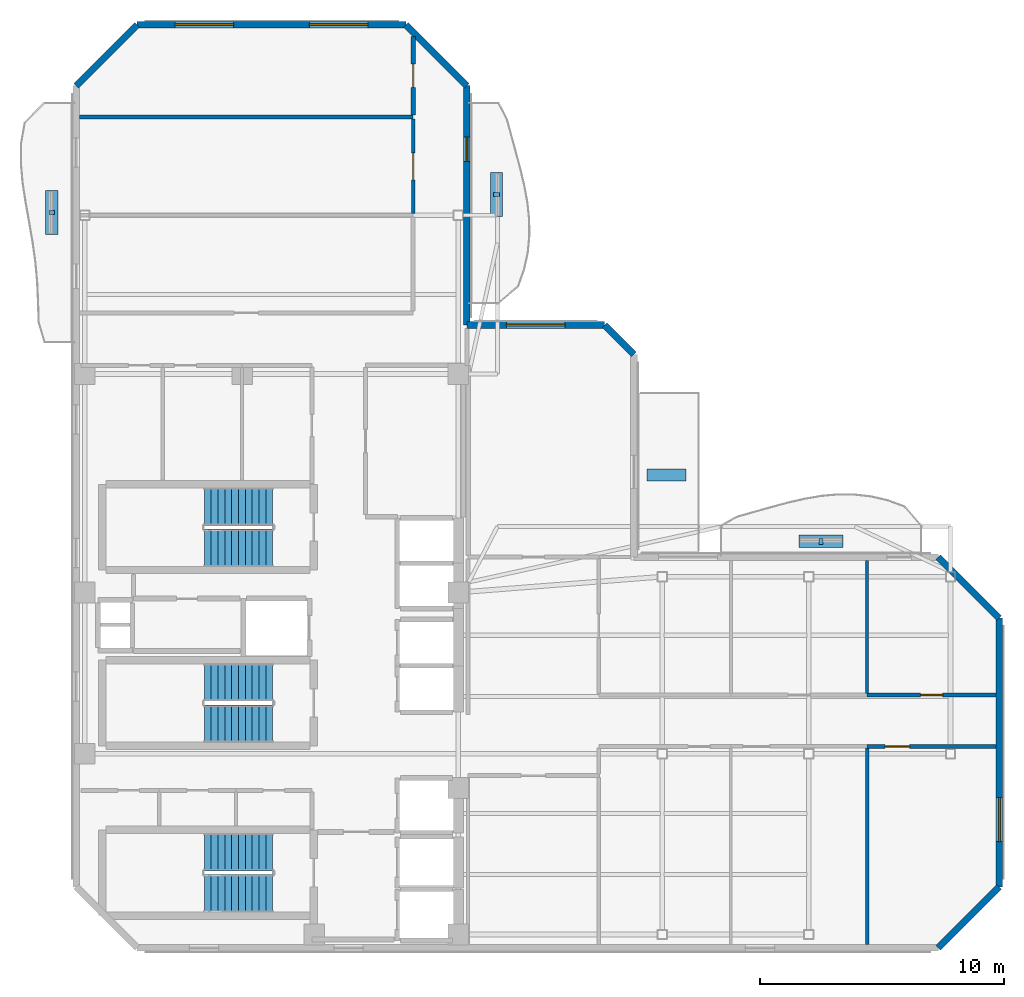
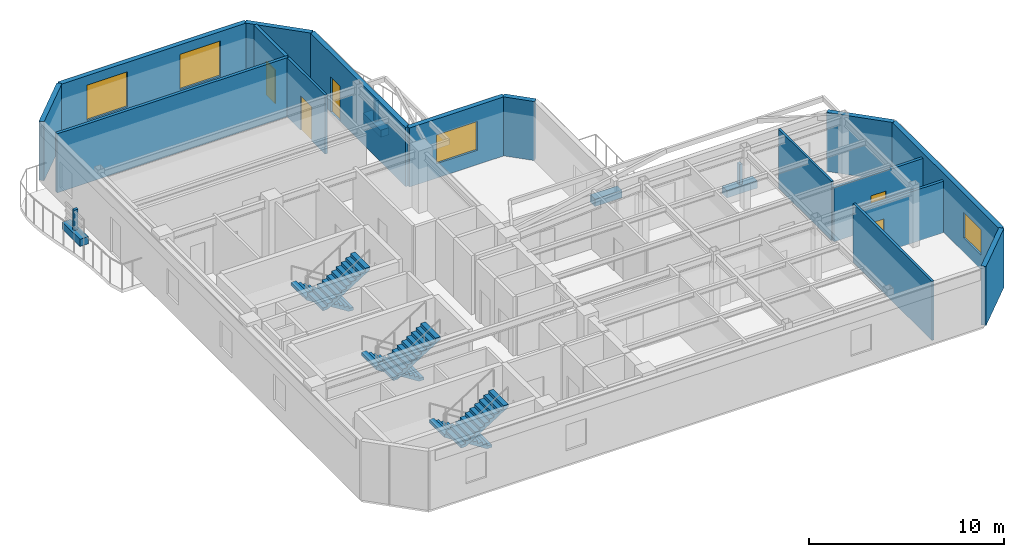
# One storey, part 5 of 8: 16 walls, 7 discrete accessories, 6 stair flights, 5 doors, 4 windows, 9 openings, 3 elements without a shape of their own.
"""IFC4 building model written with IfcOpenShell, lengths in metres."""

from ifc_helpers import new_model, si_unit, direction, frame, frame_2d, origin, origin_2d, place, context, subcontext, project, spatial, polyline, rectangle, outline, extrude, material, layer, layer_set, type_object, element, fill, aggregate, save


model = new_model("IFC4")

# Units and contexts
model_context = context("Model", 3, precision=1e-05, world=origin(), true_north=direction((0.0, 1.0)))
body_context = subcontext(model_context, "Body", "Model", "MODEL_VIEW")
ifc_project = project(units=[si_unit("LENGTHUNIT", "METRE"), si_unit("AREAUNIT", "SQUARE_METRE"), si_unit("VOLUMEUNIT", "CUBIC_METRE"), si_unit("PLANEANGLEUNIT", "RADIAN"), si_unit("MASSUNIT", "GRAM", prefix="KILO")], contexts=[model_context])

# Site, building, storey
site_placement = place(None, origin())
site = spatial("IfcSite", under=ifc_project, at=site_placement, CompositionType="ELEMENT")
building_placement = place(site_placement, origin())
building = spatial("IfcBuilding", under=site, at=building_placement, Name="Mawjaban Terraces University", CompositionType="ELEMENT")
storey_placement = place(building_placement, frame((0.0, 0.0, 248.199951171875)))
storey = spatial("IfcBuildingStorey", under=building, at=storey_placement, Name="L60", CompositionType="ELEMENT", Elevation=248.199951171875)

# Wall
ifc_material_1 = material(Name="Acoustic masonry blockwork", Category="masonry")
ifc_layer_1 = layer(ifc_material_1, 0.179931640625)
ifc_layer_set_1 = layer_set([ifc_layer_1], Name="Acoustic masonry blockwork")
wall_type_1 = type_object("IfcWallType", Name="AcousticStudioWall_180", PredefinedType="PARTITIONING", material=ifc_layer_set_1)
wall_1_placement = place(storey_placement, frame((35.800048828125, 34.02001953125, 0.0), z_axis=(0.0, 0.0, 1.0), x_axis=(-1.0, 0.0, 0.0)))
element("IfcWall", 1, at=wall_1_placement, inside=storey, type_object=wall_type_1, Name="L60 Computational Laboratory 9 Partition 14", PredefinedType="PARTITIONING", context=body_context, shape_type="SweptSolid", body=[
    extrude(rectangle(XDim=13.6669921875, YDim=0.179931640625, at=frame_2d((6.83349609375, 0.0))), origin(), (0.0, 0.0, 1.0), 3.68994140625),
])

# Wall, opening, door
wall_2_placement = place(storey_placement, frame((35.800048828125, 37.31298828125, 0.0), z_axis=(0.0, 0.0, 1.0), x_axis=(0.0, -1.0, 0.0)))
wall_2 = element("IfcWall", 2, at=wall_2_placement, inside=storey, type_object=wall_type_1, Name="L60 Upper North Research Gallery Partition 35", PredefinedType="PARTITIONING", context=body_context, shape_type="SweptSolid", body=[
    extrude(rectangle(XDim=3.2080078125, YDim=0.179931640625, at=frame_2d((1.60400390625, 0.0))), origin(), (0.0, 0.0, 1.0), 3.68994140625),
])
opening_1_placement = place(wall_2_placement, frame((1.12890625, 0.0, 0.0)))
opening_1 = element("IfcOpeningElement", 3, at=opening_1_placement, cuts=wall_2, Name="Opening ID-095", PredefinedType="OPENING", context=body_context, shape_type="SweptSolid", body=[
    extrude(rectangle(XDim=0.949951171875, YDim=2.10009765625, at=frame_2d((0.47509765625, 1.050048828125))), frame((0.0, 0.099853515625, 0.0), z_axis=(0.0, -1.0, 0.0), x_axis=(1.0, 0.0, 0.0)), (0.0, 0.0, 1.0), 0.199951171875),
])
ifc_material_2 = material(Name="Powder-coated steel frame and solid acoustic timber leaf", Category="steel")
door_type_1 = type_object("IfcDoorType", Name="StudioDoor_950x2100", OperationType="NOTDEFINED", PredefinedType="DOOR", material=ifc_material_2)
door_1_placement = place(opening_1_placement, origin())
door_1 = element("IfcDoor", 4, at=door_1_placement, inside=storey, type_object=door_type_1, Name="L60 Design Studio 10 Door", OperationType="SINGLE_SWING_LEFT", OverallHeight=2.10009765625, OverallWidth=0.949951171875, PredefinedType="DOOR", context=body_context, shape_type="SweptSolid", body=[
    extrude(rectangle(XDim=0.949951171875, YDim=2.10009765625, at=frame_2d((0.47509765625, 1.050048828125))), frame((0.0, 0.02490234375, 0.0), z_axis=(0.0, -1.0, 0.0), x_axis=(1.0, 0.0, 0.0)), (0.0, 0.0, 1.0), 0.050048828125),
])
fill(opening_1, door_1)

ifc_material_3 = material(Name="Fire-rated gypsum board on steel stud", Category="steel")
ifc_layer_2 = layer(ifc_material_3, 0.159912109375)
ifc_layer_set_2 = layer_set([ifc_layer_2], Name="Fire-rated gypsum board on steel stud")
wall_type_2 = type_object("IfcWallType", Name="CorridorPartition_160", PredefinedType="PARTITIONING", material=ifc_layer_set_2)
wall_3_placement = place(storey_placement, frame((54.389892578125, 8.25, 0.0), z_axis=(0.0, 0.0, 1.0), x_axis=(1.0, 0.0, 0.0)))
wall_3 = element("IfcWall", 5, at=wall_3_placement, inside=storey, type_object=wall_type_2, Name="L60 Upper East Research Corridor Partition 22", PredefinedType="PARTITIONING", context=body_context, shape_type="SweptSolid", body=[
    extrude(rectangle(XDim=5.277099609375, YDim=0.159912109375, at=frame_2d((2.638671875, 0.0))), origin(), (0.0, 0.0, 1.0), 3.220947265625),
])
opening_2_placement = place(wall_3_placement, frame((0.739013671875, 0.0, 0.0)))
opening_2 = element("IfcOpeningElement", 6, at=opening_2_placement, cuts=wall_3, Name="Opening ID-100", PredefinedType="OPENING", context=body_context, shape_type="SweptSolid", body=[
    extrude(rectangle(XDim=1.0, YDim=2.10009765625, at=frame_2d((0.5, 1.050048828125))), frame((0.0, 0.08984375, 0.0), z_axis=(0.0, -1.0, 0.0), x_axis=(1.0, 0.0, 0.0)), (0.0, 0.0, 1.0), 0.179931640625),
])
door_type_2 = type_object("IfcDoorType", Name="ClassroomDoor_1000x2100", OperationType="NOTDEFINED", PredefinedType="DOOR", material=ifc_material_2)
door_2_placement = place(opening_2_placement, origin())
door_2 = element("IfcDoor", 7, at=door_2_placement, inside=storey, type_object=door_type_2, Name="L60 Classroom 6 Door", OperationType="SINGLE_SWING_LEFT", OverallHeight=2.10009765625, OverallWidth=1.0, PredefinedType="DOOR", context=body_context, shape_type="SweptSolid", body=[
    extrude(rectangle(XDim=1.0, YDim=2.10009765625, at=frame_2d((0.5, 1.050048828125))), frame((0.0, 0.02490234375, 0.0), z_axis=(0.0, -1.0, 0.0), x_axis=(1.0, 0.0, 0.0)), (0.0, 0.0, 1.0), 0.050048828125),
])
fill(opening_2, door_2)

wall_4_placement = place(storey_placement, frame((59.6669921875, 10.35009765625, 0.0), z_axis=(0.0, 0.0, 1.0), x_axis=(-1.0, 0.0, 0.0)))
wall_4 = element("IfcWall", 8, at=wall_4_placement, inside=storey, type_object=wall_type_2, Name="L60 Upper East Research Corridor Partition 24", PredefinedType="PARTITIONING", context=body_context, shape_type="SweptSolid", body=[
    extrude(rectangle(XDim=5.277099609375, YDim=0.159912109375, at=frame_2d((2.638671875, 0.0))), origin(), (0.0, 0.0, 1.0), 3.3720703125),
])
opening_3_placement = place(wall_4_placement, frame((2.18896484375, 0.0, 0.0)))
opening_3 = element("IfcOpeningElement", 9, at=opening_3_placement, cuts=wall_4, Name="Opening ID-090", PredefinedType="OPENING", context=body_context, shape_type="SweptSolid", body=[
    extrude(rectangle(XDim=0.89990234375, YDim=2.10009765625, at=frame_2d((0.449951171875, 1.050048828125))), frame((0.0, 0.08984375, 0.0), z_axis=(0.0, -1.0, 0.0), x_axis=(1.0, 0.0, 0.0)), (0.0, 0.0, 1.0), 0.179931640625),
])
door_type_3 = type_object("IfcDoorType", Name="OfficeDoor_900x2100", OperationType="NOTDEFINED", PredefinedType="DOOR", material=ifc_material_2)
door_3_placement = place(opening_3_placement, origin())
door_3 = element("IfcDoor", 10, at=door_3_placement, inside=storey, type_object=door_type_3, Name="L60 Faculty Office 7 Door", OperationType="SINGLE_SWING_RIGHT", OverallHeight=2.10009765625, OverallWidth=0.89990234375, PredefinedType="DOOR", context=body_context, shape_type="SweptSolid", body=[
    extrude(rectangle(XDim=0.89990234375, YDim=2.10009765625, at=frame_2d((0.449951171875, 1.050048828125))), frame((0.0, 0.02490234375, 0.0), z_axis=(0.0, -1.0, 0.0), x_axis=(1.0, 0.0, 0.0)), (0.0, 0.0, 1.0), 0.050048828125),
])
fill(opening_3, door_3)

# Wall
ifc_material_4 = material(Name="Insulated terracotta rainscreen on concrete backup C40/50", Category="masonry")
ifc_layer_3 = layer(ifc_material_4, 0.27490234375)
ifc_layer_set_3 = layer_set([ifc_layer_3], Name="Insulated terracotta rainscreen on concrete backup C40/50")
wall_type_3 = type_object("IfcWallType", Name="ExtTerracottaWall_275", PredefinedType="SOLIDWALL", material=ifc_layer_set_3)
wall_5_placement = place(storey_placement, frame((57.300048828125, 0.0, 0.0), z_axis=(0.0, 0.0, 1.0), x_axis=(0.707106781187, 0.707106781187, 0.0)))
element("IfcWall", 11, at=wall_5_placement, inside=storey, type_object=wall_type_3, Name="L60 Exterior Terracotta Wall 2", PredefinedType="SOLIDWALL", context=body_context, shape_type="SweptSolid", body=[
    extrude(rectangle(XDim=3.53564453125, YDim=0.27490234375, at=frame_2d((1.767822265625, 0.0))), origin(), (0.0, 0.0, 1.0), 3.68994140625),
])

# Wall, opening, window
wall_6_placement = place(storey_placement, frame((59.800048828125, 2.5, 0.0), z_axis=(0.0, 0.0, 1.0), x_axis=(0.0, 1.0, 0.0)))
wall_6 = element("IfcWall", 12, at=wall_6_placement, inside=storey, type_object=wall_type_3, Name="L60 Exterior Terracotta Wall 3", PredefinedType="SOLIDWALL", context=body_context, shape_type="SweptSolid", body=[
    extrude(rectangle(XDim=11.0, YDim=0.27490234375, at=frame_2d((5.5, 0.0))), origin(), (0.0, 0.0, 1.0), 3.68994140625),
])
opening_4_placement = place(wall_6_placement, frame((1.85009765625, 0.0, 0.89990234375)))
opening_4 = element("IfcOpeningElement", 13, at=opening_4_placement, cuts=wall_6, Name="Opening W-03", PredefinedType="OPENING", context=body_context, shape_type="SweptSolid", body=[
    extrude(rectangle(XDim=1.800048828125, YDim=1.60009765625, at=frame_2d((0.89990234375, 0.800048828125))), frame((0.0, 0.1474609375, 0.0), z_axis=(0.0, -1.0, 0.0), x_axis=(1.0, 0.0, 0.0)), (0.0, 0.0, 1.0), 0.294921875),
])
ifc_material_5 = material(Name="Low-E solar-control double glazing in thermally broken aluminium frame", Category="aluminium")
window_type_1 = type_object("IfcWindowType", Name="Win_1800x1600", PartitioningType="SINGLE_PANEL", PredefinedType="WINDOW", material=ifc_material_5)
window_1_placement = place(opening_4_placement, origin())
window_1 = element("IfcWindow", 14, at=window_1_placement, inside=storey, type_object=window_type_1, Name="L60 Facade Window 3.1", OverallHeight=1.60009765625, OverallWidth=1.800048828125, PartitioningType="SINGLE_PANEL", PredefinedType="WINDOW", context=body_context, shape_type="SweptSolid", body=[
    extrude(rectangle(XDim=1.800048828125, YDim=1.60009765625, at=frame_2d((0.89990234375, 0.800048828125))), frame((0.0, 0.030029296875, 0.0), z_axis=(0.0, -1.0, 0.0), x_axis=(1.0, 0.0, 0.0)), (0.0, 0.0, 1.0), 0.06005859375),
])
fill(opening_4, window_1)

# Walls
wall_7_placement = place(storey_placement, frame((59.800048828125, 13.5, 0.0), z_axis=(0.0, 0.0, 1.0), x_axis=(-0.707106781187, 0.707106781187, 0.0)))
element("IfcWall", 15, at=wall_7_placement, inside=storey, type_object=wall_type_3, Name="L60 Exterior Terracotta Wall 4", PredefinedType="SOLIDWALL", context=body_context, shape_type="SweptSolid", body=[
    extrude(rectangle(XDim=3.53564453125, YDim=0.27490234375, at=frame_2d((1.767822265625, 0.0))), origin(), (0.0, 0.0, 1.0), 3.68994140625),
])
wall_8_placement = place(storey_placement, frame((44.840087890625, 24.300048828125, 0.0), z_axis=(0.0, 0.0, 1.0), x_axis=(-0.707178703759, 0.707034851297, 0.0)))
element("IfcWall", 16, at=wall_8_placement, inside=storey, type_object=wall_type_3, Name="L60 Exterior Terracotta Wall 7", PredefinedType="SOLIDWALL", context=body_context, shape_type="SweptSolid", body=[
    extrude(rectangle(XDim=1.697265625, YDim=0.27490234375, at=frame_2d((0.8486328125, 0.0))), origin(), (0.0, 0.0, 1.0), 3.68994140625),
])

# Wall, opening, window
wall_9_placement = place(storey_placement, frame((43.639892578125, 25.5, 0.0), z_axis=(0.0, 0.0, 1.0), x_axis=(-1.0, 0.0, 0.0)))
wall_9 = element("IfcWall", 17, at=wall_9_placement, inside=storey, type_object=wall_type_3, Name="L60 Exterior Terracotta Wall 8", PredefinedType="SOLIDWALL", context=body_context, shape_type="SweptSolid", body=[
    extrude(rectangle(XDim=5.639892578125, YDim=0.27490234375, at=frame_2d((2.81982421875, 0.0))), origin(), (0.0, 0.0, 1.0), 3.68994140625),
])
opening_5_placement = place(wall_9_placement, frame((1.6201171875, 0.0, 0.89990234375)))
opening_5 = element("IfcOpeningElement", 18, at=opening_5_placement, cuts=wall_9, Name="Opening W-08", PredefinedType="OPENING", context=body_context, shape_type="SweptSolid", body=[
    extrude(rectangle(XDim=2.39990234375, YDim=1.800048828125, at=frame_2d((1.199951171875, 0.89990234375))), frame((0.0, 0.1474609375, 0.0), z_axis=(0.0, -1.0, 0.0), x_axis=(1.0, 0.0, 0.0)), (0.0, 0.0, 1.0), 0.294921875),
])
window_type_2 = type_object("IfcWindowType", Name="Win_2400x1800", PartitioningType="SINGLE_PANEL", PredefinedType="WINDOW", material=ifc_material_5)
window_2_placement = place(opening_5_placement, origin())
window_2 = element("IfcWindow", 19, at=window_2_placement, inside=storey, type_object=window_type_2, Name="L60 Facade Window 8.1", OverallHeight=1.800048828125, OverallWidth=2.39990234375, PartitioningType="SINGLE_PANEL", PredefinedType="WINDOW", context=body_context, shape_type="SweptSolid", body=[
    extrude(rectangle(XDim=2.39990234375, YDim=1.800048828125, at=frame_2d((1.199951171875, 0.89990234375))), frame((0.0, 0.030029296875, 0.0), z_axis=(0.0, -1.0, 0.0), x_axis=(1.0, 0.0, 0.0)), (0.0, 0.0, 1.0), 0.06005859375),
])
fill(opening_5, window_2)

# Wall, opening, door
wall_10_placement = place(storey_placement, frame((38.0, 25.5, 0.0), z_axis=(0.0, 0.0, 1.0), x_axis=(0.0, 1.0, 0.0)))
wall_10 = element("IfcWall", 20, at=wall_10_placement, inside=storey, type_object=wall_type_3, Name="L60 Exterior Terracotta Wall 9", PredefinedType="SOLIDWALL", context=body_context, shape_type="SweptSolid", body=[
    extrude(rectangle(XDim=9.800048828125, YDim=0.27490234375, at=frame_2d((4.89990234375, 0.0))), origin(), (0.0, 0.0, 1.0), 3.68994140625),
])
opening_6_placement = place(wall_10_placement, frame((6.699951171875, 0.0, 0.0)))
opening_6 = element("IfcOpeningElement", 21, at=opening_6_placement, cuts=wall_10, Name="Opening BD-100", PredefinedType="OPENING", context=body_context, shape_type="SweptSolid", body=[
    extrude(rectangle(XDim=1.0, YDim=2.199951171875, at=frame_2d((0.5, 1.10009765625))), frame((0.0, 0.1474609375, 0.0), z_axis=(0.0, -1.0, 0.0), x_axis=(1.0, 0.0, 0.0)), (0.0, 0.0, 1.0), 0.294921875),
])
ifc_material_6 = material(Name="Thermally broken anodised aluminium and laminated safety glass", Category="aluminium")
door_type_4 = type_object("IfcDoorType", Name="BalconyGlazedDoor_1000x2200", OperationType="NOTDEFINED", PredefinedType="DOOR", material=ifc_material_6)
door_4_placement = place(opening_6_placement, origin())
door_4 = element("IfcDoor", 22, at=door_4_placement, inside=storey, type_object=door_type_4, Name="L60 Balcony Access Door inner_east", OperationType="SINGLE_SWING_LEFT", OverallHeight=2.199951171875, OverallWidth=1.0, PredefinedType="DOOR", context=body_context, shape_type="SweptSolid", body=[
    extrude(rectangle(XDim=1.0, YDim=2.199951171875, at=frame_2d((0.5, 1.10009765625))), frame((0.0, 0.02490234375, 0.0), z_axis=(0.0, -1.0, 0.0), x_axis=(1.0, 0.0, 0.0)), (0.0, 0.0, 1.0), 0.050048828125),
])
fill(opening_6, door_4)

# Wall
wall_11_placement = place(storey_placement, frame((38.0, 35.300048828125, 0.0), z_axis=(0.0, 0.0, 1.0), x_axis=(-0.707106781187, 0.707106781187, 0.0)))
element("IfcWall", 23, at=wall_11_placement, inside=storey, type_object=wall_type_3, Name="L60 Exterior Terracotta Wall 10", PredefinedType="SOLIDWALL", context=body_context, shape_type="SweptSolid", body=[
    extrude(rectangle(XDim=3.53564453125, YDim=0.27490234375, at=frame_2d((1.767822265625, 0.0))), origin(), (0.0, 0.0, 1.0), 3.68994140625),
])

# Wall, openings, windows
wall_12_placement = place(storey_placement, frame((35.5, 37.800048828125, 0.0), z_axis=(0.0, 0.0, 1.0), x_axis=(-1.0, 0.0, 0.0)))
wall_12 = element("IfcWall", 24, at=wall_12_placement, inside=storey, type_object=wall_type_3, Name="L60 Exterior Terracotta Wall 11", PredefinedType="SOLIDWALL", context=body_context, shape_type="SweptSolid", body=[
    extrude(rectangle(XDim=11.0, YDim=0.27490234375, at=frame_2d((5.5, 0.0))), origin(), (0.0, 0.0, 1.0), 3.68994140625),
])
opening_7_placement = place(wall_12_placement, frame((1.550048828125, 0.0, 0.89990234375)))
opening_7 = element("IfcOpeningElement", 25, at=opening_7_placement, cuts=wall_12, Name="Opening W-11", PredefinedType="OPENING", context=body_context, shape_type="SweptSolid", body=[
    extrude(rectangle(XDim=2.39990234375, YDim=2.199951171875, at=frame_2d((1.199951171875, 1.10009765625))), frame((0.0, 0.1474609375, 0.0), z_axis=(0.0, -1.0, 0.0), x_axis=(1.0, 0.0, 0.0)), (0.0, 0.0, 1.0), 0.294921875),
])
opening_8_placement = place(wall_12_placement, frame((7.050048828125, 0.0, 0.89990234375)))
opening_8 = element("IfcOpeningElement", 26, at=opening_8_placement, cuts=wall_12, Name="Opening W-11", PredefinedType="OPENING", context=body_context, shape_type="SweptSolid", body=[
    extrude(rectangle(XDim=2.39990234375, YDim=2.199951171875, at=frame_2d((1.199951171875, 1.10009765625))), frame((0.0, 0.1474609375, 0.0), z_axis=(0.0, -1.0, 0.0), x_axis=(1.0, 0.0, 0.0)), (0.0, 0.0, 1.0), 0.294921875),
])
window_type_3 = type_object("IfcWindowType", Name="Win_2400x2200", PartitioningType="SINGLE_PANEL", PredefinedType="WINDOW", material=ifc_material_5)
window_3_placement = place(opening_7_placement, origin())
window_3 = element("IfcWindow", 27, at=window_3_placement, inside=storey, type_object=window_type_3, Name="L60 Facade Window 11.1", OverallHeight=2.199951171875, OverallWidth=2.39990234375, PartitioningType="SINGLE_PANEL", PredefinedType="WINDOW", context=body_context, shape_type="SweptSolid", body=[
    extrude(rectangle(XDim=2.39990234375, YDim=2.199951171875, at=frame_2d((1.199951171875, 1.10009765625))), frame((0.0, 0.030029296875, 0.0), z_axis=(0.0, -1.0, 0.0), x_axis=(1.0, 0.0, 0.0)), (0.0, 0.0, 1.0), 0.06005859375),
])
fill(opening_7, window_3)
window_4_placement = place(opening_8_placement, origin())
window_4 = element("IfcWindow", 28, at=window_4_placement, inside=storey, type_object=window_type_3, Name="L60 Facade Window 11.2", OverallHeight=2.199951171875, OverallWidth=2.39990234375, PartitioningType="SINGLE_PANEL", PredefinedType="WINDOW", context=body_context, shape_type="SweptSolid", body=[
    extrude(rectangle(XDim=2.39990234375, YDim=2.199951171875, at=frame_2d((1.199951171875, 1.10009765625))), frame((0.0, 0.030029296875, 0.0), z_axis=(0.0, -1.0, 0.0), x_axis=(1.0, 0.0, 0.0)), (0.0, 0.0, 1.0), 0.06005859375),
])
fill(opening_8, window_4)

# Wall
wall_13_placement = place(storey_placement, frame((24.5, 37.800048828125, 0.0), z_axis=(0.0, 0.0, 1.0), x_axis=(-0.707106781187, -0.707106781187, 0.0)))
element("IfcWall", 29, at=wall_13_placement, inside=storey, type_object=wall_type_3, Name="L60 Exterior Terracotta Wall 12", PredefinedType="SOLIDWALL", context=body_context, shape_type="SweptSolid", body=[
    extrude(rectangle(XDim=3.53564453125, YDim=0.27490234375, at=frame_2d((1.767822265625, 0.0))), origin(), (0.0, 0.0, 1.0), 3.68994140625),
])

# Wall, opening, door
ifc_material_7 = material(Name="Moisture-resistant gypsum board on steel stud", Category="steel")
ifc_layer_4 = layer(ifc_material_7, 0.14501953125)
ifc_layer_set_4 = layer_set([ifc_layer_4], Name="Moisture-resistant gypsum board on steel stud")
wall_type_4 = type_object("IfcWallType", Name="LabPartition_145", PredefinedType="PARTITIONING", material=ifc_layer_set_4)
wall_14_placement = place(storey_placement, frame((35.800048828125, 33.93505859375, 0.0), z_axis=(0.0, 0.0, 1.0), x_axis=(0.0, -1.0, 0.0)))
wall_14 = element("IfcWall", 30, at=wall_14_placement, inside=storey, type_object=wall_type_4, Name="L60 Upper North Research Gallery Partition 34", PredefinedType="PARTITIONING", context=body_context, shape_type="SweptSolid", body=[
    extrude(rectangle(XDim=3.8681640625, YDim=0.14501953125, at=frame_2d((1.93408203125, 0.0))), origin(), (0.0, 0.0, 1.0), 3.68994140625),
])
opening_9_placement = place(wall_14_placement, frame((1.384033203125, 0.0, 0.0)))
opening_9 = element("IfcOpeningElement", 31, at=opening_9_placement, cuts=wall_14, Name="Opening ID-110", PredefinedType="OPENING", context=body_context, shape_type="SweptSolid", body=[
    extrude(rectangle(XDim=1.10009765625, YDim=2.14990234375, at=frame_2d((0.550048828125, 1.074951171875))), frame((0.0, 0.08251953125, 0.0), z_axis=(0.0, -1.0, 0.0), x_axis=(1.0, 0.0, 0.0)), (0.0, 0.0, 1.0), 0.1650390625),
])
door_type_5 = type_object("IfcDoorType", Name="LabDoor_1100x2150", OperationType="NOTDEFINED", PredefinedType="DOOR", material=ifc_material_2)
door_5_placement = place(opening_9_placement, origin())
door_5 = element("IfcDoor", 32, at=door_5_placement, inside=storey, type_object=door_type_5, Name="L60 Computational Laboratory 9 Door", OperationType="SINGLE_SWING_RIGHT", OverallHeight=2.14990234375, OverallWidth=1.10009765625, PredefinedType="DOOR", context=body_context, shape_type="SweptSolid", body=[
    extrude(rectangle(XDim=1.10009765625, YDim=2.14990234375, at=frame_2d((0.550048828125, 1.074951171875))), frame((0.0, 0.02490234375, 0.0), z_axis=(0.0, -1.0, 0.0), x_axis=(1.0, 0.0, 0.0)), (0.0, 0.0, 1.0), 0.050048828125),
])
fill(opening_9, door_5)

# Walls
wall_15_placement = place(storey_placement, frame((54.389892578125, 0.133056640625, 0.0), z_axis=(0.0, 0.0, 1.0), x_axis=(0.0, 1.0, 0.0)))
element("IfcWall", 33, at=wall_15_placement, inside=storey, type_object=wall_type_4, Name="L60 Teaching Laboratory 4 Partition 46", PredefinedType="PARTITIONING", context=body_context, shape_type="SweptSolid", body=[
    extrude(rectangle(XDim=8.0419921875, YDim=0.14501953125, at=frame_2d((4.02099609375, 0.0))), origin(), (0.0, 0.0, 1.0), 3.68994140625),
])
ifc_material_8 = material(Name="Gypsum plasterboard on steel stud", Category="steel")
ifc_layer_5 = layer(ifc_material_8, 0.125)
ifc_layer_set_5 = layer_set([ifc_layer_5], Name="Gypsum plasterboard on steel stud")
wall_type_5 = type_object("IfcWallType", Name="OfficePartition_125", PredefinedType="PARTITIONING", material=ifc_layer_set_5)
wall_16_placement = place(storey_placement, frame((54.389892578125, 10.425048828125, 0.0), z_axis=(0.0, 0.0, 1.0), x_axis=(0.0, 1.0, 0.0)))
element("IfcWall", 34, at=wall_16_placement, inside=storey, type_object=wall_type_5, Name="L60 Seminar Room 5 Partition 47", PredefinedType="PARTITIONING", context=body_context, shape_type="SweptSolid", body=[
    extrude(rectangle(XDim=5.44189453125, YDim=0.125, at=frame_2d((2.720947265625, 0.0))), origin(), (0.0, 0.0, 1.0), 3.68994140625),
])

# Stair, stair flights
ifc_material_9 = material(Name="Concrete C40/50", Category="concrete")
stair_type = type_object("IfcStairType", Name="Stair_Core1550_H39", PredefinedType="HALF_TURN_STAIR", material=ifc_material_9)
stair_1_placement = place(storey_placement, origin())
stair_1 = element("IfcStair", 35, at=stair_1_placement, inside=storey, type_object=stair_type, Name="L60 Core Exit Stair 1", PredefinedType="HALF_TURN_STAIR")
stair_flight_type = type_object("IfcStairFlightType", Name="Flight_Core1550_H39", PredefinedType="STRAIGHT", material=ifc_material_9)
stair_flight_1_placement = place(storey_placement, frame((30.050048828125, 3.925048828125, 0.0), z_axis=(0.0, 0.0, 1.0), x_axis=(-1.0, 0.0, 0.0)))
stair_flight_1 = element("IfcStairFlight", 36, at=stair_flight_1_placement, type_object=stair_flight_type, Name="ST-1 flight 1", NumberOfRisers=11, NumberOfTreads=10, PredefinedType="STRAIGHT", RiserHeight=0.177272727, TreadLength=0.28, context=body_context, shape_type="SweptSolid", body=[
    extrude(outline(polyline([(0.0, 0.0), (0.0, 0.17724609375), (0.280029296875, 0.17724609375), (0.280029296875, 0.3544921875), (0.56005859375, 0.3544921875), (0.56005859375, 0.53173828125), (0.840087890625, 0.53173828125), (0.840087890625, 0.708984375), (1.1201171875, 0.708984375), (1.1201171875, 0.886474609375), (1.39990234375, 0.886474609375), (1.39990234375, 1.063720703125), (1.679931640625, 1.063720703125), (1.679931640625, 1.240966796875), (1.9599609375, 1.240966796875), (1.9599609375, 1.418212890625), (2.239990234375, 1.418212890625), (2.239990234375, 1.595458984375), (2.52001953125, 1.595458984375), (2.52001953125, 1.772705078125), (2.800048828125, 1.772705078125), (2.800048828125, 1.949951171875), (2.800048828125, 1.59521484375), (0.2802734375, 0.0), (0.0, 0.0)])), frame((0.0, 0.77490234375, 0.0), z_axis=(0.0, -1.0, 0.0), x_axis=(1.0, 0.0, 0.0)), (0.0, 0.0, 1.0), 1.550048828125),
])
stair_flight_2_placement = place(storey_placement, frame((27.25, 2.22509765625, 1.949951171875), z_axis=(0.0, 0.0, 1.0), x_axis=(1.0, 0.0, 0.0)))
stair_flight_2 = element("IfcStairFlight", 37, at=stair_flight_2_placement, type_object=stair_flight_type, Name="ST-1 flight 2", NumberOfRisers=11, NumberOfTreads=10, PredefinedType="STRAIGHT", RiserHeight=0.177272727, TreadLength=0.28, context=body_context, shape_type="SweptSolid", body=[
    extrude(outline(polyline([(0.0, 0.0), (0.0, 0.17724609375), (0.280029296875, 0.17724609375), (0.280029296875, 0.3544921875), (0.56005859375, 0.3544921875), (0.56005859375, 0.53173828125), (0.840087890625, 0.53173828125), (0.840087890625, 0.708984375), (1.1201171875, 0.708984375), (1.1201171875, 0.886474609375), (1.39990234375, 0.886474609375), (1.39990234375, 1.063720703125), (1.679931640625, 1.063720703125), (1.679931640625, 1.240966796875), (1.9599609375, 1.240966796875), (1.9599609375, 1.418212890625), (2.239990234375, 1.418212890625), (2.239990234375, 1.595458984375), (2.52001953125, 1.595458984375), (2.52001953125, 1.772705078125), (2.800048828125, 1.772705078125), (2.800048828125, 1.949951171875), (2.800048828125, 1.59521484375), (0.2802734375, 0.0), (0.0, 0.0)])), frame((0.0, 0.77490234375, 0.0), z_axis=(0.0, -1.0, 0.0), x_axis=(1.0, 0.0, 0.0)), (0.0, 0.0, 1.0), 1.550048828125),
])
aggregate(stair_1, [stair_flight_1, stair_flight_2])

stair_2_placement = place(storey_placement, origin())
stair_2 = element("IfcStair", 38, at=stair_2_placement, inside=storey, type_object=stair_type, Name="L60 Core Exit Stair 2", PredefinedType="HALF_TURN_STAIR")
stair_flight_3_placement = place(storey_placement, frame((30.050048828125, 18.074951171875, 0.0), z_axis=(0.0, 0.0, 1.0), x_axis=(-1.0, 0.0, 0.0)))
stair_flight_3 = element("IfcStairFlight", 39, at=stair_flight_3_placement, type_object=stair_flight_type, Name="ST-2 flight 1", NumberOfRisers=11, NumberOfTreads=10, PredefinedType="STRAIGHT", RiserHeight=0.177272727, TreadLength=0.28, context=body_context, shape_type="SweptSolid", body=[
    extrude(outline(polyline([(0.0, 0.0), (0.0, 0.17724609375), (0.280029296875, 0.17724609375), (0.280029296875, 0.3544921875), (0.56005859375, 0.3544921875), (0.56005859375, 0.53173828125), (0.840087890625, 0.53173828125), (0.840087890625, 0.708984375), (1.1201171875, 0.708984375), (1.1201171875, 0.886474609375), (1.39990234375, 0.886474609375), (1.39990234375, 1.063720703125), (1.679931640625, 1.063720703125), (1.679931640625, 1.240966796875), (1.9599609375, 1.240966796875), (1.9599609375, 1.418212890625), (2.239990234375, 1.418212890625), (2.239990234375, 1.595458984375), (2.52001953125, 1.595458984375), (2.52001953125, 1.772705078125), (2.800048828125, 1.772705078125), (2.800048828125, 1.949951171875), (2.800048828125, 1.59521484375), (0.2802734375, 0.0), (0.0, 0.0)])), frame((0.0, 0.77490234375, 0.0), z_axis=(0.0, -1.0, 0.0), x_axis=(1.0, 0.0, 0.0)), (0.0, 0.0, 1.0), 1.550048828125),
])
stair_flight_4_placement = place(storey_placement, frame((27.25, 16.375, 1.949951171875), z_axis=(0.0, 0.0, 1.0), x_axis=(1.0, 0.0, 0.0)))
stair_flight_4 = element("IfcStairFlight", 40, at=stair_flight_4_placement, type_object=stair_flight_type, Name="ST-2 flight 2", NumberOfRisers=11, NumberOfTreads=10, PredefinedType="STRAIGHT", RiserHeight=0.177272727, TreadLength=0.28, context=body_context, shape_type="SweptSolid", body=[
    extrude(outline(polyline([(0.0, 0.0), (0.0, 0.17724609375), (0.280029296875, 0.17724609375), (0.280029296875, 0.3544921875), (0.56005859375, 0.3544921875), (0.56005859375, 0.53173828125), (0.840087890625, 0.53173828125), (0.840087890625, 0.708984375), (1.1201171875, 0.708984375), (1.1201171875, 0.886474609375), (1.39990234375, 0.886474609375), (1.39990234375, 1.063720703125), (1.679931640625, 1.063720703125), (1.679931640625, 1.240966796875), (1.9599609375, 1.240966796875), (1.9599609375, 1.418212890625), (2.239990234375, 1.418212890625), (2.239990234375, 1.595458984375), (2.52001953125, 1.595458984375), (2.52001953125, 1.772705078125), (2.800048828125, 1.772705078125), (2.800048828125, 1.949951171875), (2.800048828125, 1.59521484375), (0.2802734375, 0.0), (0.0, 0.0)])), frame((0.0, 0.77490234375, 0.0), z_axis=(0.0, -1.0, 0.0), x_axis=(1.0, 0.0, 0.0)), (0.0, 0.0, 1.0), 1.550048828125),
])
aggregate(stair_2, [stair_flight_3, stair_flight_4])

stair_3_placement = place(storey_placement, origin())
stair_3 = element("IfcStair", 41, at=stair_3_placement, inside=storey, type_object=stair_type, Name="L60 Core Exit Stair 3", PredefinedType="HALF_TURN_STAIR")
stair_flight_5_placement = place(storey_placement, frame((30.050048828125, 10.875, 0.0), z_axis=(0.0, 0.0, 1.0), x_axis=(-1.0, 0.0, 0.0)))
stair_flight_5 = element("IfcStairFlight", 42, at=stair_flight_5_placement, type_object=stair_flight_type, Name="ST-3 flight 1", NumberOfRisers=11, NumberOfTreads=10, PredefinedType="STRAIGHT", RiserHeight=0.177272727, TreadLength=0.28, context=body_context, shape_type="SweptSolid", body=[
    extrude(outline(polyline([(0.0, 0.0), (0.0, 0.17724609375), (0.280029296875, 0.17724609375), (0.280029296875, 0.3544921875), (0.56005859375, 0.3544921875), (0.56005859375, 0.53173828125), (0.840087890625, 0.53173828125), (0.840087890625, 0.708984375), (1.1201171875, 0.708984375), (1.1201171875, 0.886474609375), (1.39990234375, 0.886474609375), (1.39990234375, 1.063720703125), (1.679931640625, 1.063720703125), (1.679931640625, 1.240966796875), (1.9599609375, 1.240966796875), (1.9599609375, 1.418212890625), (2.239990234375, 1.418212890625), (2.239990234375, 1.595458984375), (2.52001953125, 1.595458984375), (2.52001953125, 1.772705078125), (2.800048828125, 1.772705078125), (2.800048828125, 1.949951171875), (2.800048828125, 1.59521484375), (0.2802734375, 0.0), (0.0, 0.0)])), frame((0.0, 0.77490234375, 0.0), z_axis=(0.0, -1.0, 0.0), x_axis=(1.0, 0.0, 0.0)), (0.0, 0.0, 1.0), 1.550048828125),
])
stair_flight_6_placement = place(storey_placement, frame((27.25, 9.175048828125, 1.949951171875), z_axis=(0.0, 0.0, 1.0), x_axis=(1.0, 0.0, 0.0)))
stair_flight_6 = element("IfcStairFlight", 43, at=stair_flight_6_placement, type_object=stair_flight_type, Name="ST-3 flight 2", NumberOfRisers=11, NumberOfTreads=10, PredefinedType="STRAIGHT", RiserHeight=0.177272727, TreadLength=0.28, context=body_context, shape_type="SweptSolid", body=[
    extrude(outline(polyline([(0.0, 0.0), (0.0, 0.17724609375), (0.280029296875, 0.17724609375), (0.280029296875, 0.3544921875), (0.56005859375, 0.3544921875), (0.56005859375, 0.53173828125), (0.840087890625, 0.53173828125), (0.840087890625, 0.708984375), (1.1201171875, 0.708984375), (1.1201171875, 0.886474609375), (1.39990234375, 0.886474609375), (1.39990234375, 1.063720703125), (1.679931640625, 1.063720703125), (1.679931640625, 1.240966796875), (1.9599609375, 1.240966796875), (1.9599609375, 1.418212890625), (2.239990234375, 1.418212890625), (2.239990234375, 1.595458984375), (2.52001953125, 1.595458984375), (2.52001953125, 1.772705078125), (2.800048828125, 1.772705078125), (2.800048828125, 1.949951171875), (2.800048828125, 1.59521484375), (0.2802734375, 0.0), (0.0, 0.0)])), frame((0.0, 0.77490234375, 0.0), z_axis=(0.0, -1.0, 0.0), x_axis=(1.0, 0.0, 0.0)), (0.0, 0.0, 1.0), 1.550048828125),
])
aggregate(stair_3, [stair_flight_5, stair_flight_6])

# Discrete accessories
ifc_material_10 = material(Name="Stainless steel 316L", Category="steel")
discrete_accessory_type_1 = type_object("IfcDiscreteAccessoryType", Name="FacadeScreenBracket_Steel", PredefinedType="BRACKET", material=ifc_material_10)
for number, where, z_axis, x_axis, name in (
    (44, (21.0029296875, 30.10791015625, 0.419921875), (0.0, 0.0, 1.0), (0.0, 1.0, 0.0), "L60 Balcony Screen Support Bracket west"),
    (45, (52.5, 16.64501953125, 0.419921875), (0.0, 0.0, 1.0), (1.0, 0.0, 0.0), "L60 Balcony Screen Support Bracket inner_north"),
    (46, (39.2080078125, 30.841064453125, 0.419921875), (0.0, 0.0, 1.0), (0.0, 1.0, 0.0), "L60 Balcony Screen Support Bracket inner_east"),
):
    element("IfcDiscreteAccessory", number, at=place(storey_placement, frame(where, z_axis=z_axis, x_axis=x_axis)), inside=storey, type_object=discrete_accessory_type_1, Name=name, PredefinedType="BRACKET", context=body_context, shape_type="SweptSolid", body=[
        extrude(rectangle(XDim=0.159912109375, YDim=0.239990234375, at=origin_2d()), origin(), (0.0, 0.0, 1.0), 1.300048828125),
    ])
ifc_material_11 = material(Name="Precast architectural terracotta planter with engineered planting soil", Category="masonry")
discrete_accessory_type_2 = type_object("IfcDiscreteAccessoryType", Name="IrrigatedPlanterTrough_450", PredefinedType="USERDEFINED", material=ifc_material_11)
for number, where, z_axis, x_axis, name in (
    (47, (21.0029296875, 30.10791015625, -0.0048828125), (0.0, 0.0, 1.0), (0.0, 1.0, 0.0), "L60 Balcony Irrigated Planter west"),
    (48, (52.5, 16.64501953125, -0.0048828125), (0.0, 0.0, 1.0), (1.0, 0.0, 0.0), "L60 Balcony Irrigated Planter inner_north"),
    (49, (39.2080078125, 30.841064453125, -0.0048828125), (0.0, 0.0, 1.0), (0.0, 1.0, 0.0), "L60 Balcony Irrigated Planter inner_east"),
):
    element("IfcDiscreteAccessory", number, at=place(storey_placement, frame(where, z_axis=z_axis, x_axis=x_axis)), inside=storey, type_object=discrete_accessory_type_2, Name=name, ObjectType="PLANTER", PredefinedType="USERDEFINED", context=body_context, shape_type="SweptSolid", body=[
        extrude(rectangle(XDim=1.800048828125, YDim=0.5, at=origin_2d()), origin(), (0.0, 0.0, 1.0), 0.449951171875),
    ])
discrete_accessory_placement = place(storey_placement, frame((46.169921875, 19.363037109375, -0.0048828125), z_axis=(0.0, 0.0, 1.0), x_axis=(1.0, 0.0, 0.0)))
element("IfcDiscreteAccessory", 50, at=discrete_accessory_placement, inside=storey, type_object=discrete_accessory_type_2, Name="L60 Terrace Planter TER-L60-CLIMB", ObjectType="PLANTER", PredefinedType="USERDEFINED", context=body_context, shape_type="SweptSolid", body=[
    extrude(rectangle(XDim=1.60009765625, YDim=0.5, at=origin_2d()), origin(), (0.0, 0.0, 1.0), 0.449951171875),
])

save(model, "model.ifc")
